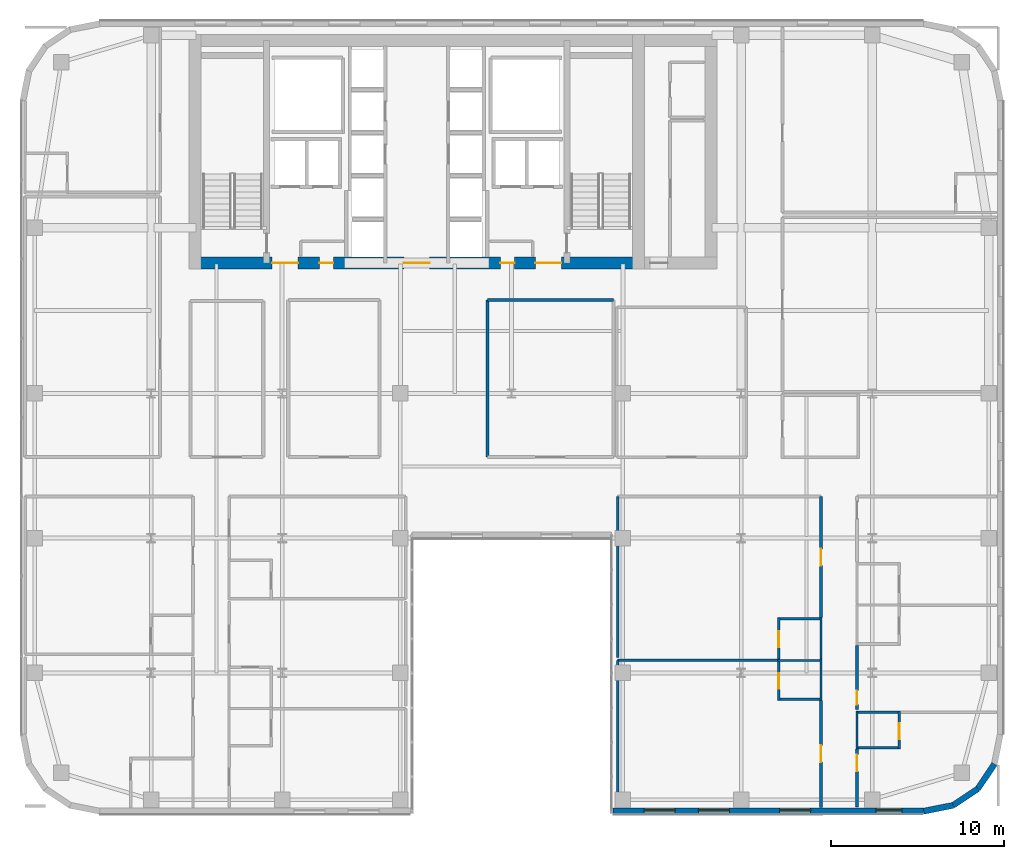
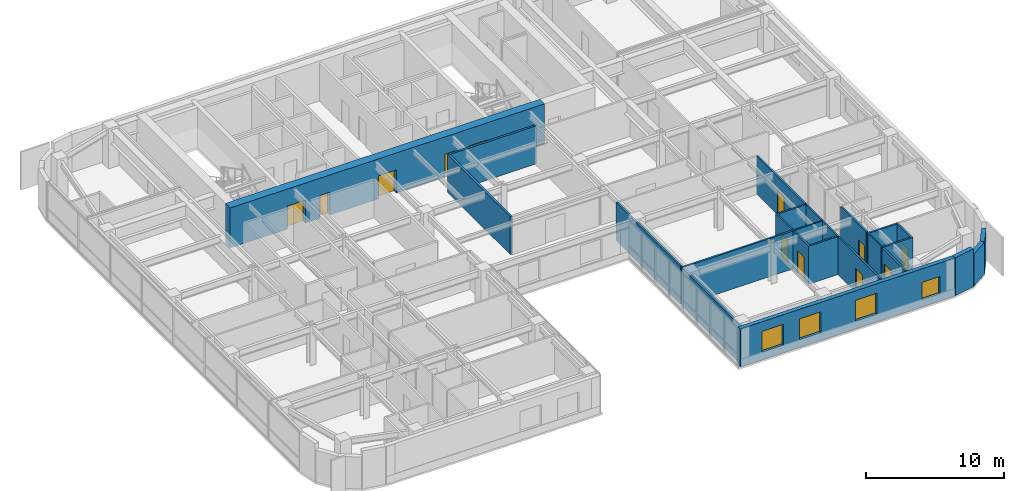
# One storey, part 28 of 37: 25 walls, 12 doors, 4 windows, 16 openings.
"""IFC4 building model written with IfcOpenShell, lengths in metres."""

import ifcopenshell
import ifcopenshell.guid

model = None  # the IFC model being written
_history = None  # IfcOwnerHistory: only IFC2X3 demands one
_inside = {}  # id of a spatial element -> (the spatial element, [elements in it])
_under = {}  # id of a project, library or spatial element -> (it, [spatial elements below it])
_declared = {}  # id of a project -> (the project, [libraries it declares])
_typed = {}  # id of a type object -> (the type object, [elements of that type])
_made_of = {}  # id of a material, layer set ... -> (it, [elements and type objects made of it])


def new_model(schema):
    """Start an empty IFC model of exactly this schema.

    Asked for "IFC4X3", IfcOpenShell would pick the latest addendum, in which some entities
    have other attributes; the version numbers below select the first issue.
    IFC2X3 requires an IfcOwnerHistory on every rooted entity: one is made here for all.
    """
    global model, _history
    if schema == "IFC4X3":
        model = ifcopenshell.file(schema_version=(4, 3, 0, 0))
    else:
        model = ifcopenshell.file(schema=schema)
    _inside.clear()
    _under.clear()
    _declared.clear()
    _typed.clear()
    _made_of.clear()
    _history = None
    if model.schema == "IFC2X3":
        org = make("IfcOrganization", Name="unknown")
        user = make(
            "IfcPersonAndOrganization",
            ThePerson=make("IfcPerson", FamilyName="unknown"),
            TheOrganization=org,
        )
        app = make(
            "IfcApplication",
            ApplicationDeveloper=org,
            Version="unknown",
            ApplicationFullName="unknown",
            ApplicationIdentifier="unknown",
        )
        _history = make(
            "IfcOwnerHistory",
            OwningUser=user,
            OwningApplication=app,
            ChangeAction="ADDED",
            CreationDate=0,
        )
    return model


def make(cls, **values):
    """One entity of the class cls with the attributes given. An attribute that is None is left unset."""
    return model.create_entity(
        cls, **{name: value for name, value in values.items() if value is not None}
    )


def rooted(cls, **values):
    """An entity with a GlobalId (a new one), such as an element, a storey or a relation."""
    return make(cls, GlobalId=ifcopenshell.guid.new(), OwnerHistory=_history, **values)


def si_unit(unit_type, name, prefix=None):
    """IfcSIUnit, for example si_unit("LENGTHUNIT", "METRE", prefix="MILLI")."""
    return make("IfcSIUnit", UnitType=unit_type, Prefix=prefix, Name=name)


def assignment(units):
    """IfcUnitAssignment: the units of a project."""
    return None if units is None else make("IfcUnitAssignment", Units=units)


def point(xyz):
    """IfcCartesianPoint."""
    return None if xyz is None else make("IfcCartesianPoint", Coordinates=xyz)


def direction(xyz):
    """IfcDirection."""
    return None if xyz is None else make("IfcDirection", DirectionRatios=xyz)


def frame(location, z_axis=None, x_axis=None):
    """IfcAxis2Placement3D, a coordinate frame: its origin and axes. An axis left out is left unset."""
    return make(
        "IfcAxis2Placement3D",
        Location=point(location),
        Axis=direction(z_axis),
        RefDirection=direction(x_axis),
    )


def frame_2d(location, x_axis=None):
    """IfcAxis2Placement2D, a coordinate frame in the plane: its origin and x axis."""
    return make(
        "IfcAxis2Placement2D", Location=point(location), RefDirection=direction(x_axis)
    )


def origin():
    """The frame at (0, 0, 0) with its axes left unset."""
    return frame((0.0, 0.0, 0.0))


def place(relative_to, where):
    """IfcLocalPlacement: puts the frame where relative to a parent placement (None: the world)."""
    return make(
        "IfcLocalPlacement", PlacementRelTo=relative_to, RelativePlacement=where
    )


def context(
    kind, dimensions, precision=None, world=None, true_north=None, identifier=None
):
    """IfcGeometricRepresentationContext, for example the 3D "Model" context."""
    return make(
        "IfcGeometricRepresentationContext",
        ContextIdentifier=identifier,
        ContextType=kind,
        CoordinateSpaceDimension=dimensions,
        Precision=precision,
        WorldCoordinateSystem=world,
        TrueNorth=true_north,
    )


def subcontext(parent, identifier, kind, view, scale=None):
    """IfcGeometricRepresentationSubContext, for example "Body" below "Model"."""
    return make(
        "IfcGeometricRepresentationSubContext",
        ContextIdentifier=identifier,
        ContextType=kind,
        ParentContext=parent,
        TargetScale=scale,
        TargetView=view,
    )


def project(units=None, contexts=None):
    """IfcProject with its units and contexts."""
    return rooted(
        "IfcProject",
        Name="project",
        RepresentationContexts=contexts,
        UnitsInContext=assignment(units),
    )


def spatial(cls, under=None, at=None, **own):
    """A site, building, storey or space (cls), placed at a placement, below another one or the project."""
    s = rooted(cls, ObjectPlacement=at, **own)
    if under is not None:
        _under.setdefault(under.id(), (under, []))[1].append(s)
    return s


def profile(cls, at=None, kind="AREA", **sizes):
    """A parametric profile (cls). Its sizes go by their IFC names, for example OverallWidth=200.0."""
    return make(cls, ProfileType=kind, Position=at, **sizes)


def rectangle(**sizes):
    """IfcRectangleProfileDef."""
    return profile("IfcRectangleProfileDef", **sizes)


def extrude(swept, where, along, depth):
    """IfcExtrudedAreaSolid: the profile swept, set in the frame where, extruded along a direction by depth."""
    return make(
        "IfcExtrudedAreaSolid",
        SweptArea=swept,
        Position=where,
        ExtrudedDirection=direction(along),
        Depth=depth,
    )


def shape(context_of_items, identifier, shape_type, items):
    """IfcShapeRepresentation: the items that make up one representation, for example the "Body"."""
    return make(
        "IfcShapeRepresentation",
        ContextOfItems=context_of_items,
        RepresentationIdentifier=identifier,
        RepresentationType=shape_type,
        Items=items,
    )


def source(mapping_origin, context_of_items, identifier, shape_type, items):
    """IfcRepresentationMap: a shape defined once, which mapped items show again and again."""
    return make(
        "IfcRepresentationMap",
        MappingOrigin=mapping_origin,
        MappedRepresentation=shape(context_of_items, identifier, shape_type, items),
    )


def transform(
    local_origin,
    x_axis=None,
    y_axis=None,
    z_axis=None,
    scale=None,
    scale2=None,
    scale3=None,
    uniform=True,
):
    """IfcCartesianTransformationOperator3D, or its non-uniform kind. x_axis, y_axis, z_axis: its Axis1, 2, 3."""
    if uniform:
        return make(
            "IfcCartesianTransformationOperator3D",
            Axis1=direction(x_axis),
            Axis2=direction(y_axis),
            LocalOrigin=point(local_origin),
            Scale=scale,
            Axis3=direction(z_axis),
        )
    return make(
        "IfcCartesianTransformationOperator3DnonUniform",
        Axis1=direction(x_axis),
        Axis2=direction(y_axis),
        LocalOrigin=point(local_origin),
        Scale=scale,
        Axis3=direction(z_axis),
        Scale2=scale2,
        Scale3=scale3,
    )


def mapped(mapping_source, mapping_target):
    """IfcMappedItem: shows the shape of a source again, moved by a transform."""
    return make(
        "IfcMappedItem", MappingSource=mapping_source, MappingTarget=mapping_target
    )


def material(Name=None, Category=None):
    """IfcMaterial."""
    return make("IfcMaterial", Name=Name, Category=Category)


def layer(
    of_material, thickness, ventilated=None, Name=None, Category=None, Priority=None
):
    """IfcMaterialLayer: one layer of a wall or slab, of a material (None: an air gap)."""
    return make(
        "IfcMaterialLayer",
        Material=of_material,
        LayerThickness=thickness,
        IsVentilated=ventilated,
        Name=Name,
        Category=Category,
        Priority=Priority,
    )


def layer_set(layers, Name=None):
    """IfcMaterialLayerSet."""
    return make("IfcMaterialLayerSet", MaterialLayers=layers, LayerSetName=Name)


def made_of(thing, what):
    """Note that an element or type object is made of a material, layer set ...; save() writes the relation."""
    if what is not None:
        _made_of.setdefault(what.id(), (what, []))[1].append(thing)
    return thing


def type_object(cls, material=None, **own):
    """A type object (cls), such as IfcWallType, which elements share."""
    return made_of(rooted(cls, **own), material)


def type_shapes(of_type, sources):
    """Give a type object the sources (RepresentationMaps) that its elements show as mapped items."""
    of_type.RepresentationMaps = sources


def element(
    cls,
    number,
    at=None,
    inside=None,
    cuts=None,
    type_object=None,
    material=None,
    context=None,
    identifier="Body",
    shape_type=None,
    held_by="IfcProductDefinitionShape",
    body=None,
    shapes=None,
    **own,
):
    """One element of the class cls, such as IfcWall. Its Tag is "e" and its number.

    at: its placement. inside: the storey or other place that contains it. cuts: it is an
    opening in that element (IfcRelVoidsElement). A single representation is given by context,
    identifier, shape_type and body (its items); several are given by shapes. held_by: the class
    of the entity that holds the representations. save() writes the other relations.
    """
    e = rooted(cls, Tag="e%d" % number, ObjectPlacement=at, **own)
    if body is not None:
        shapes = [shape(context, identifier, shape_type, body)]
    if shapes is not None:
        e.Representation = make(held_by, Representations=shapes)
    if inside is not None:
        _inside.setdefault(inside.id(), (inside, []))[1].append(e)
    if cuts is not None:
        rooted(
            "IfcRelVoidsElement", RelatingBuildingElement=cuts, RelatedOpeningElement=e
        )
    if type_object is not None:
        _typed.setdefault(type_object.id(), (type_object, []))[1].append(e)
    return made_of(e, material)


def fill(opening, filler):
    """IfcRelFillsElement: the door or window that sits in an opening."""
    return rooted(
        "IfcRelFillsElement",
        RelatingOpeningElement=opening,
        RelatedBuildingElement=filler,
    )


def aggregate(whole, parts):
    """IfcRelAggregates: a whole, such as a stair, and the parts it consists of."""
    return rooted("IfcRelAggregates", RelatingObject=whole, RelatedObjects=parts)


def save(model, path):
    """Write the relations noted so far, then the file.

    IfcRelAggregates (storeys below a building ...), IfcRelContainedInSpatialStructure (elements
    in a storey), IfcRelDefinesByType, IfcRelAssociatesMaterial and IfcRelDeclares: one each for
    every whole, place, type object, material and project.
    """
    for whole, parts in _under.values():
        aggregate(whole, parts)
    for where, things in _inside.values():
        rooted(
            "IfcRelContainedInSpatialStructure",
            RelatedElements=things,
            RelatingStructure=where,
        )
    for kind, things in _typed.values():
        rooted("IfcRelDefinesByType", RelatedObjects=things, RelatingType=kind)
    for what, things in _made_of.values():
        rooted("IfcRelAssociatesMaterial", RelatedObjects=things, RelatingMaterial=what)
    for by, libraries in _declared.values():
        rooted("IfcRelDeclares", RelatingContext=by, RelatedDefinitions=libraries)
    model.write(path)


model = new_model("IFC4")

# Units and contexts
model_context = context("Model", 3, precision=1e-05, world=origin(), true_north=direction((0.0, 1.0)))
body_context = subcontext(model_context, "Body", "Model", "MODEL_VIEW")
ifc_project = project(units=[si_unit("LENGTHUNIT", "METRE"), si_unit("AREAUNIT", "SQUARE_METRE"), si_unit("VOLUMEUNIT", "CUBIC_METRE"), si_unit("PLANEANGLEUNIT", "RADIAN"), si_unit("MASSUNIT", "GRAM", prefix="KILO")], contexts=[model_context])

# Site, building, storey
site_placement = place(None, origin())
site = spatial("IfcSite", under=ifc_project, at=site_placement, CompositionType="ELEMENT")
building_placement = place(site_placement, origin())
building = spatial("IfcBuilding", under=site, at=building_placement, Name="Tolvann Quenvar Hotel", CompositionType="ELEMENT")
storey_placement = place(building_placement, frame((0.0, 0.0, 104.449951171875)))
storey = spatial("IfcBuildingStorey", under=building, at=storey_placement, Name="L26", CompositionType="ELEMENT", Elevation=104.449951171875)

# Wall, openings, doors
ifc_material_1 = material(Name="Concrete S65 (65 MPa)", Category="concrete")
ifc_layer_1 = layer(ifc_material_1, 0.699951171875)
ifc_layer_set_1 = layer_set([ifc_layer_1], Name="Concrete S65 (65 MPa)")
wall_type_1 = type_object("IfcWallType", Name="WALL_CORE_700", PredefinedType="SHEAR", material=ifc_layer_set_1)
wall_1_placement = place(storey_placement, frame((9.800048828125, 31.949951171875, 0.0), z_axis=(0.0, 0.0, 1.0), x_axis=(1.0, 0.0, 0.0)))
wall_1 = element("IfcWall", 1, at=wall_1_placement, inside=storey, type_object=wall_type_1, Name="Rear Core S Shear Wall (L26)", PredefinedType="SHEAR", context=body_context, shape_type="SweptSolid", body=[
    extrude(rectangle(XDim=26.39990234375, YDim=0.699951171875, at=frame_2d((13.199951171875, 0.0))), origin(), (0.0, 0.0, 1.0), 3.550048828125),
])
opening_1_placement = place(wall_1_placement, frame((6.320068359375, 0.0, 0.0), z_axis=(0.0, 0.0, 1.0), x_axis=(-1.0, 0.0, 0.0)))
opening_1 = element("IfcOpeningElement", 2, at=opening_1_placement, cuts=wall_1, Name="Opening FD-60D", PredefinedType="OPENING", context=body_context, shape_type="SweptSolid", body=[
    extrude(rectangle(XDim=1.5, YDim=2.0400390625, at=frame_2d((0.75, 1.02001953125))), frame((0.0, 0.35986328125, 0.0), z_axis=(0.0, -1.0, 0.0), x_axis=(1.0, 0.0, 0.0)), (0.0, 0.0, 1.0), 0.719970703125),
])
opening_2_placement = place(wall_1_placement, frame((13.949951171875, 0.0, 0.0), z_axis=(0.0, 0.0, 1.0), x_axis=(-1.0, 0.0, 0.0)))
opening_2 = element("IfcOpeningElement", 3, at=opening_2_placement, cuts=wall_1, Name="Opening FD-60D", PredefinedType="OPENING", context=body_context, shape_type="SweptSolid", body=[
    extrude(rectangle(XDim=1.5, YDim=2.0400390625, at=frame_2d((0.75, 1.02001953125))), frame((0.0, 0.35986328125, 0.0), z_axis=(0.0, -1.0, 0.0), x_axis=(1.0, 0.0, 0.0)), (0.0, 0.0, 1.0), 0.719970703125),
])
opening_3_placement = place(wall_1_placement, frame((21.580078125, 0.0, 0.0), z_axis=(0.0, 0.0, 1.0), x_axis=(-1.0, 0.0, 0.0)))
opening_3 = element("IfcOpeningElement", 4, at=opening_3_placement, cuts=wall_1, Name="Opening FD-60D", PredefinedType="OPENING", context=body_context, shape_type="SweptSolid", body=[
    extrude(rectangle(XDim=1.5, YDim=2.0400390625, at=frame_2d((0.75, 1.02001953125))), frame((0.0, 0.35986328125, 0.0), z_axis=(0.0, -1.0, 0.0), x_axis=(1.0, 0.0, 0.0)), (0.0, 0.0, 1.0), 0.719970703125),
])
opening_4_placement = place(wall_1_placement, frame((8.3701171875, 0.0, 0.0), z_axis=(0.0, 0.0, 1.0), x_axis=(-1.0, 0.0, 0.0)))
opening_4 = element("IfcOpeningElement", 5, at=opening_4_placement, cuts=wall_1, Name="Opening HD-02", PredefinedType="OPENING", context=body_context, shape_type="SweptSolid", body=[
    extrude(rectangle(XDim=0.820068359375, YDim=2.010009765625, at=frame_2d((0.41015625, 1.0048828125))), frame((0.0, 0.35986328125, 0.0), z_axis=(0.0, -1.0, 0.0), x_axis=(1.0, 0.0, 0.0)), (0.0, 0.0, 1.0), 0.719970703125),
])
opening_5_placement = place(wall_1_placement, frame((18.8701171875, 0.0, 0.0), z_axis=(0.0, 0.0, 1.0), x_axis=(-1.0, 0.0, 0.0)))
opening_5 = element("IfcOpeningElement", 6, at=opening_5_placement, cuts=wall_1, Name="Opening HD-02", PredefinedType="OPENING", context=body_context, shape_type="SweptSolid", body=[
    extrude(rectangle(XDim=0.820068359375, YDim=2.010009765625, at=frame_2d((0.41015625, 1.0048828125))), frame((0.0, 0.35986328125, 0.0), z_axis=(0.0, -1.0, 0.0), x_axis=(1.0, 0.0, 0.0)), (0.0, 0.0, 1.0), 0.719970703125),
])
ifc_material_2 = material(Name="Solid-core American oak acoustic fire door leaf in steel frame", Category="steel")
door_type_1 = type_object("IfcDoorType", Name="DOOR_FIRE_LOBBY_1500", OperationType="NOTDEFINED", PredefinedType="DOOR", material=ifc_material_2)
shared_shape_1 = source(origin(), body_context, "Body", "SweptSolid", [
    extrude(rectangle(XDim=1.5, YDim=2.0400390625, at=frame_2d((0.75, 1.02001953125))), frame((0.0, 0.02490234375, 0.0), z_axis=(0.0, -1.0, 0.0), x_axis=(1.0, 0.0, 0.0)), (0.0, 0.0, 1.0), 0.050048828125),
])
type_shapes(door_type_1, [shared_shape_1])
door_1_placement = place(opening_1_placement, origin())
door_1 = element("IfcDoor", 7, at=door_1_placement, inside=storey, type_object=door_type_1, Name="Core Lobby Fire Door FFW (L26)", OperationType="DOUBLE_DOOR_SINGLE_SWING", OverallHeight=2.0400390625, OverallWidth=1.5, PredefinedType="DOOR", context=body_context, shape_type="MappedRepresentation", body=[
    mapped(shared_shape_1, transform((0.0, 0.0, 0.0), x_axis=(1.0, 0.0, 0.0), y_axis=(0.0, 1.0, 0.0), z_axis=(0.0, 0.0, 1.0), scale=1.0)),
])
fill(opening_1, door_1)
door_2_placement = place(opening_2_placement, origin())
door_2 = element("IfcDoor", 8, at=door_2_placement, inside=storey, type_object=door_type_1, Name="Core Lobby Fire Door CLOB (L26)", OperationType="DOUBLE_DOOR_SINGLE_SWING", OverallHeight=2.0400390625, OverallWidth=1.5, PredefinedType="DOOR", context=body_context, shape_type="MappedRepresentation", body=[
    mapped(shared_shape_1, transform((0.0, 0.0, 0.0), x_axis=(1.0, 0.0, 0.0), y_axis=(0.0, 1.0, 0.0), z_axis=(0.0, 0.0, 1.0), scale=1.0)),
])
fill(opening_2, door_2)
door_3_placement = place(opening_3_placement, origin())
door_3 = element("IfcDoor", 9, at=door_3_placement, inside=storey, type_object=door_type_1, Name="Core Lobby Fire Door FFE (L26)", OperationType="DOUBLE_DOOR_SINGLE_SWING", OverallHeight=2.0400390625, OverallWidth=1.5, PredefinedType="DOOR", context=body_context, shape_type="MappedRepresentation", body=[
    mapped(shared_shape_1, transform((0.0, 0.0, 0.0), x_axis=(1.0, 0.0, 0.0), y_axis=(0.0, 1.0, 0.0), z_axis=(0.0, 0.0, 1.0), scale=1.0)),
])
fill(opening_3, door_3)
ifc_material_3 = material(Name="Pressed galvanised steel fire-rated door set", Category="steel")
door_type_2 = type_object("IfcDoorType", Name="DOOR_STORE_820", OperationType="NOTDEFINED", PredefinedType="DOOR", material=ifc_material_3)
shared_shape_2 = source(origin(), body_context, "Body", "SweptSolid", [
    extrude(rectangle(XDim=0.820068359375, YDim=2.010009765625, at=frame_2d((0.41015625, 1.0048828125))), frame((0.0, 0.02490234375, 0.0), z_axis=(0.0, -1.0, 0.0), x_axis=(1.0, 0.0, 0.0)), (0.0, 0.0, 1.0), 0.050048828125),
])
type_shapes(door_type_2, [shared_shape_2])
door_4_placement = place(opening_4_placement, origin())
door_4 = element("IfcDoor", 10, at=door_4_placement, inside=storey, type_object=door_type_2, Name="Core Linen Store Fire Door (L26)", OperationType="SINGLE_SWING_LEFT", OverallHeight=2.010009765625, OverallWidth=0.820068359375, PredefinedType="DOOR", context=body_context, shape_type="MappedRepresentation", body=[
    mapped(shared_shape_2, transform((0.0, 0.0, 0.0), x_axis=(1.0, 0.0, 0.0), y_axis=(0.0, 1.0, 0.0), z_axis=(0.0, 0.0, 1.0), scale=1.0)),
])
fill(opening_4, door_4)
door_5_placement = place(opening_5_placement, origin())
door_5 = element("IfcDoor", 11, at=door_5_placement, inside=storey, type_object=door_type_2, Name="Core Comms Closet Fire Door (L26)", OperationType="SINGLE_SWING_RIGHT", OverallHeight=2.010009765625, OverallWidth=0.820068359375, PredefinedType="DOOR", context=body_context, shape_type="MappedRepresentation", body=[
    mapped(shared_shape_2, transform((0.0, 0.0, 0.0), x_axis=(1.0, 0.0, 0.0), y_axis=(0.0, 1.0, 0.0), z_axis=(0.0, 0.0, 1.0), scale=1.0)),
])
fill(opening_5, door_5)

# Wall, openings, windows
ifc_material_4 = material(Name="Kiln-fired red and buff architectural clay brickwork and terracotta masonry", Category="masonry")
ifc_layer_2 = layer(ifc_material_4, 0.35009765625)
ifc_layer_set_2 = layer_set([ifc_layer_2], Name="Kiln-fired red and buff architectural clay brickwork and terracotta masonry")
wall_type_2 = type_object("IfcWallType", Name="WALL_EXT_BRICK_350", PredefinedType="SOLIDWALL", material=ifc_layer_set_2)
wall_2_placement = place(storey_placement, frame((34.375, 0.175048828125, 0.0), z_axis=(0.0, 0.0, 1.0), x_axis=(1.0, 0.0, 0.0)))
wall_2 = element("IfcWall", 12, at=wall_2_placement, inside=storey, type_object=wall_type_2, Name="Exterior Chicago Brick Wall L26-E08", PredefinedType="SOLIDWALL", context=body_context, shape_type="SweptSolid", body=[
    extrude(rectangle(XDim=18.0078125, YDim=0.35009765625, at=frame_2d((9.00390625, 0.0))), origin(), (0.0, 0.0, 1.0), 3.3701171875),
])
opening_6_placement = place(wall_2_placement, frame((1.801025390625, 0.0, 0.679931640625)))
opening_6 = element("IfcOpeningElement", 13, at=opening_6_placement, cuts=wall_2, Name="Opening W-03", PredefinedType="OPENING", context=body_context, shape_type="SweptSolid", body=[
    extrude(rectangle(XDim=1.800048828125, YDim=1.85009765625, at=frame_2d((0.89990234375, 0.925048828125))), frame((0.0, 0.18505859375, 0.0), z_axis=(0.0, -1.0, 0.0), x_axis=(1.0, 0.0, 0.0)), (0.0, 0.0, 1.0), 0.3701171875),
])
opening_7_placement = place(wall_2_placement, frame((4.952880859375, 0.0, 0.679931640625)))
opening_7 = element("IfcOpeningElement", 14, at=opening_7_placement, cuts=wall_2, Name="Opening W-03", PredefinedType="OPENING", context=body_context, shape_type="SweptSolid", body=[
    extrude(rectangle(XDim=1.800048828125, YDim=1.85009765625, at=frame_2d((0.89990234375, 0.925048828125))), frame((0.0, 0.18505859375, 0.0), z_axis=(0.0, -1.0, 0.0), x_axis=(1.0, 0.0, 0.0)), (0.0, 0.0, 1.0), 0.3701171875),
])
opening_8_placement = place(wall_2_placement, frame((9.655029296875, 0.0, 0.679931640625)))
opening_8 = element("IfcOpeningElement", 15, at=opening_8_placement, cuts=wall_2, Name="Opening W-03", PredefinedType="OPENING", context=body_context, shape_type="SweptSolid", body=[
    extrude(rectangle(XDim=1.800048828125, YDim=1.85009765625, at=frame_2d((0.89990234375, 0.925048828125))), frame((0.0, 0.18505859375, 0.0), z_axis=(0.0, -1.0, 0.0), x_axis=(1.0, 0.0, 0.0)), (0.0, 0.0, 1.0), 0.3701171875),
])
opening_9_placement = place(wall_2_placement, frame((15.240966796875, 0.0, 0.6201171875)))
opening_9 = element("IfcOpeningElement", 16, at=opening_9_placement, cuts=wall_2, Name="Opening W-08", PredefinedType="OPENING", context=body_context, shape_type="SweptSolid", body=[
    extrude(rectangle(XDim=1.5, YDim=1.550048828125, at=frame_2d((0.75, 0.77490234375))), frame((0.0, 0.18505859375, 0.0), z_axis=(0.0, -1.0, 0.0), x_axis=(1.0, 0.0, 0.0)), (0.0, 0.0, 1.0), 0.3701171875),
])
ifc_material_5 = material(Name="Thermally broken bronze-anodised aluminium frame with double low-E glazing", Category="aluminium")
window_type_1 = type_object("IfcWindowType", Name="WIN_COR_1500x2050", PartitioningType="SINGLE_PANEL", PredefinedType="WINDOW", material=ifc_material_5)
shared_shape_3 = source(origin(), body_context, "Body", "SweptSolid", [
    extrude(rectangle(XDim=1.5, YDim=1.550048828125, at=frame_2d((0.75, 0.77490234375))), frame((0.0, 0.090087890625, 0.0), z_axis=(0.0, -1.0, 0.0), x_axis=(1.0, 0.0, 0.0)), (0.0, 0.0, 1.0), 0.06005859375),
])
type_shapes(window_type_1, [shared_shape_3])
window_1_placement = place(opening_9_placement, origin())
window_1 = element("IfcWindow", 17, at=window_1_placement, inside=storey, type_object=window_type_1, Name="Chicago Window W-08 (EW-L26-E08-WD04)", OverallHeight=1.550048828125, OverallWidth=1.5, PartitioningType="SINGLE_PANEL", PredefinedType="WINDOW", context=body_context, shape_type="MappedRepresentation", body=[
    mapped(shared_shape_3, transform((0.0, 0.0, 0.0), x_axis=(1.0, 0.0, 0.0), y_axis=(0.0, 1.0, 0.0), z_axis=(0.0, 0.0, 1.0), scale=1.0)),
])
fill(opening_9, window_1)
window_type_2 = type_object("IfcWindowType", Name="WIN_CHI_1800x2050", PartitioningType="TRIPLE_PANEL_HORIZONTAL", PredefinedType="WINDOW", material=ifc_material_5)
shared_shape_4 = source(origin(), body_context, "Body", "SweptSolid", [
    extrude(rectangle(XDim=1.800048828125, YDim=1.85009765625, at=frame_2d((0.89990234375, 0.925048828125))), frame((0.0, 0.090087890625, 0.0), z_axis=(0.0, -1.0, 0.0), x_axis=(1.0, 0.0, 0.0)), (0.0, 0.0, 1.0), 0.06005859375),
])
type_shapes(window_type_2, [shared_shape_4])
window_2_placement = place(opening_6_placement, origin())
window_2 = element("IfcWindow", 18, at=window_2_placement, inside=storey, type_object=window_type_2, Name="Chicago Window W-03 (EW-L26-E08-W01)", OverallHeight=1.85009765625, OverallWidth=1.800048828125, PartitioningType="TRIPLE_PANEL_HORIZONTAL", PredefinedType="WINDOW", context=body_context, shape_type="MappedRepresentation", body=[
    mapped(shared_shape_4, transform((0.0, 0.0, 0.0), x_axis=(1.0, 0.0, 0.0), y_axis=(0.0, 1.0, 0.0), z_axis=(0.0, 0.0, 1.0), scale=1.0)),
])
fill(opening_6, window_2)
window_3_placement = place(opening_7_placement, origin())
window_3 = element("IfcWindow", 19, at=window_3_placement, inside=storey, type_object=window_type_2, Name="Chicago Window W-03 (EW-L26-E08-W02)", OverallHeight=1.85009765625, OverallWidth=1.800048828125, PartitioningType="TRIPLE_PANEL_HORIZONTAL", PredefinedType="WINDOW", context=body_context, shape_type="MappedRepresentation", body=[
    mapped(shared_shape_4, transform((0.0, 0.0, 0.0), x_axis=(1.0, 0.0, 0.0), y_axis=(0.0, 1.0, 0.0), z_axis=(0.0, 0.0, 1.0), scale=1.0)),
])
fill(opening_7, window_3)
window_4_placement = place(opening_8_placement, origin())
window_4 = element("IfcWindow", 20, at=window_4_placement, inside=storey, type_object=window_type_2, Name="Chicago Window W-03 (EW-L26-E08-W03)", OverallHeight=1.85009765625, OverallWidth=1.800048828125, PartitioningType="TRIPLE_PANEL_HORIZONTAL", PredefinedType="WINDOW", context=body_context, shape_type="MappedRepresentation", body=[
    mapped(shared_shape_4, transform((0.0, 0.0, 0.0), x_axis=(1.0, 0.0, 0.0), y_axis=(0.0, 1.0, 0.0), z_axis=(0.0, 0.0, 1.0), scale=1.0)),
])
fill(opening_8, window_4)

# Walls
wall_3_placement = place(storey_placement, frame((52.3828125, 0.175048828125, 0.0), z_axis=(0.0, 0.0, 1.0), x_axis=(0.980800971659, 0.195011420161, 0.0)))
element("IfcWall", 21, at=wall_3_placement, inside=storey, type_object=wall_type_2, Name="Exterior Chicago Brick Wall L26-E09", PredefinedType="SOLIDWALL", context=body_context, shape_type="SweptSolid", body=[
    extrude(rectangle(XDim=1.74267578125, YDim=0.35009765625, at=frame_2d((0.871337890625, 0.0))), origin(), (0.0, 0.0, 1.0), 3.3701171875),
])
for number, where, z_axis, x_axis, name in (
    (22, (54.092041015625, 0.514892578125, 0.0), (0.0, 0.0, 1.0), (0.831483840845, 0.55554893791, 0.0), "Exterior Chicago Brick Wall L26-E10"),
    (23, (55.526611328125, 1.473388671875, 0.0), (0.0, 0.0, 1.0), (0.55554893791, 0.831483840845, 0.0), "Exterior Chicago Brick Wall L26-E11"),
):
    element("IfcWall", number, at=place(storey_placement, frame(where, z_axis=z_axis, x_axis=x_axis)), inside=storey, type_object=wall_type_2, Name=name, PredefinedType="SOLIDWALL", context=body_context, shape_type="SweptSolid", body=[
        extrude(rectangle(XDim=1.725341796875, YDim=0.35009765625, at=frame_2d((0.86279296875, 0.0))), origin(), (0.0, 0.0, 1.0), 2.83203125),
    ])
ifc_material_6 = material(Name="Acoustic twin-stud fire-rated gypsum plasterboard partition")
ifc_layer_3 = layer(ifc_material_6, 0.179931640625)
ifc_layer_set_3 = layer_set([ifc_layer_3], Name="Acoustic twin-stud fire-rated gypsum plasterboard partition")
wall_type_3 = type_object("IfcWallType", Name="WALL_PART_ACOUSTIC_180", PredefinedType="PARTITIONING", material=ifc_layer_set_3)
wall_4_placement = place(storey_placement, frame((27.10009765625, 29.800048828125, 0.0), z_axis=(0.0, 0.0, 1.0), x_axis=(1.0, 0.0, 0.0)))
element("IfcWall", 24, at=wall_4_placement, inside=storey, type_object=wall_type_3, Name="Interior Partition PT-SPC-L26-MSP-C-N", PredefinedType="PARTITIONING", context=body_context, shape_type="SweptSolid", body=[
    extrude(rectangle(XDim=7.2998046875, YDim=0.179931640625, at=frame_2d((3.64990234375, 0.0))), origin(), (0.0, 0.0, 1.0), 3.3701171875),
])
wall_5_placement = place(storey_placement, frame((27.10009765625, 20.699951171875, 0.0), z_axis=(0.0, 0.0, 1.0), x_axis=(0.0, 1.0, 0.0)))
element("IfcWall", 25, at=wall_5_placement, inside=storey, type_object=wall_type_3, Name="Interior Partition PT-SPC-L26-MSP-C-W", PredefinedType="PARTITIONING", context=body_context, shape_type="SweptSolid", body=[
    extrude(rectangle(XDim=9.10009765625, YDim=0.179931640625, at=frame_2d((4.550048828125, 0.0))), origin(), (0.0, 0.0, 1.0), 3.3701171875),
])
ifc_material_7 = material(Name="Moisture-resistant acoustic plumbing wall assembly")
ifc_layer_4 = layer(ifc_material_7, 0.1201171875)
ifc_layer_set_4 = layer_set([ifc_layer_4], Name="Moisture-resistant acoustic plumbing wall assembly")
wall_type_4 = type_object("IfcWallType", Name="WALL_PART_BATH_120", PredefinedType="PLUMBINGWALL", material=ifc_layer_set_4)
wall_6_placement = place(storey_placement, frame((43.909912109375, 8.919921875, 0.0), z_axis=(0.0, 0.0, 1.0), x_axis=(1.0, 0.0, 0.0)))
element("IfcWall", 26, at=wall_6_placement, inside=storey, type_object=wall_type_4, Name="Non-Rated Plumbing Partition PT-SPC-L26-ENS-EI01-N", PredefinedType="PLUMBINGWALL", context=body_context, shape_type="SweptSolid", body=[
    extrude(rectangle(XDim=2.590087890625, YDim=0.1201171875, at=frame_2d((1.294921875, 0.0))), origin(), (0.0, 0.0, 1.0), 3.3701171875),
])
for number, where, z_axis, x_axis, name in (
    (27, (46.429931640625, 6.60009765625, 0.0), (0.0, 0.0, 1.0), (0.0, 1.0, 0.0), "Non-Rated Plumbing Partition PT-SPC-L26-ENS-EI01-E"),
    (28, (46.429931640625, 9.010009765625, 0.0), (0.0, 0.0, 1.0), (0.0, 1.0, 0.0), "Non-Rated Plumbing Partition PT-SPC-L26-ENS-EI02-E"),
):
    element("IfcWall", number, at=place(storey_placement, frame(where, z_axis=z_axis, x_axis=x_axis)), inside=storey, type_object=wall_type_4, Name=name, PredefinedType="PLUMBINGWALL", context=body_context, shape_type="SweptSolid", body=[
        extrude(rectangle(XDim=2.389892578125, YDim=0.1201171875, at=frame_2d((1.19482421875, 0.0))), origin(), (0.0, 0.0, 1.0), 3.3701171875),
    ])
wall_7_placement = place(storey_placement, frame((48.52001953125, 3.782958984375, 0.0), z_axis=(0.0, 0.0, 1.0), x_axis=(0.0, 1.0, 0.0)))
element("IfcWall", 29, at=wall_7_placement, inside=storey, type_object=wall_type_4, Name="Non-Rated Plumbing Partition PT-SPC-L26-ENS-EO01-W", PredefinedType="PLUMBINGWALL", context=body_context, shape_type="SweptSolid", body=[
    extrude(rectangle(XDim=2.20703125, YDim=0.1201171875, at=frame_2d((1.103515625, 0.0))), origin(), (0.0, 0.0, 1.0), 3.3701171875),
])

# Wall, opening, door
ifc_layer_5 = layer(ifc_material_6, 0.14990234375)
ifc_layer_set_5 = layer_set([ifc_layer_5], Name="Acoustic twin-stud fire-rated gypsum plasterboard partition")
wall_type_5 = type_object("IfcWallType", Name="WALL_PART_SUITE_150", PredefinedType="PARTITIONING", material=ifc_layer_set_5)
wall_8_placement = place(storey_placement, frame((43.97998046875, 6.60009765625, 0.0), z_axis=(0.0, 0.0, 1.0), x_axis=(0.0, 1.0, 0.0)))
wall_8 = element("IfcWall", 30, at=wall_8_placement, inside=storey, type_object=wall_type_5, Name="Interior Partition PT-SPC-L26-ENS-EI01-ENT", PredefinedType="PARTITIONING", context=body_context, shape_type="SweptSolid", body=[
    extrude(rectangle(XDim=2.389892578125, YDim=0.14990234375, at=frame_2d((1.19482421875, 0.0))), origin(), (0.0, 0.0, 1.0), 3.3701171875),
])
opening_10_placement = place(wall_8_placement, frame((0.6650390625, 0.0, 0.0)))
opening_10 = element("IfcOpeningElement", 31, at=opening_10_placement, cuts=wall_8, Name="Opening WD-01", PredefinedType="OPENING", context=body_context, shape_type="SweptSolid", body=[
    extrude(rectangle(XDim=0.919921875, YDim=2.010009765625, at=frame_2d((0.4599609375, 1.0048828125))), frame((0.0, 0.0849609375, 0.0), z_axis=(0.0, -1.0, 0.0), x_axis=(1.0, 0.0, 0.0)), (0.0, 0.0, 1.0), 0.169921875),
])
door_type_3 = type_object("IfcDoorType", Name="DOOR_WC_920", OperationType="NOTDEFINED", PredefinedType="DOOR", material=ifc_material_2)
shared_shape_5 = source(origin(), body_context, "Body", "SweptSolid", [
    extrude(rectangle(XDim=0.919921875, YDim=2.010009765625, at=frame_2d((0.4599609375, 1.0048828125))), frame((0.0, 0.02490234375, 0.0), z_axis=(0.0, -1.0, 0.0), x_axis=(1.0, 0.0, 0.0)), (0.0, 0.0, 1.0), 0.050048828125),
])
type_shapes(door_type_3, [shared_shape_5])
door_6_placement = place(opening_10_placement, origin())
door_6 = element("IfcDoor", 32, at=door_6_placement, inside=storey, type_object=door_type_3, Name="Interior Door DOOR-SPC-L26-ENS-EI01", OperationType="SINGLE_SWING_RIGHT", OverallHeight=2.010009765625, OverallWidth=0.919921875, PredefinedType="DOOR", context=body_context, shape_type="MappedRepresentation", body=[
    mapped(shared_shape_5, transform((0.0, 0.0, 0.0), x_axis=(1.0, 0.0, 0.0), y_axis=(0.0, 1.0, 0.0), z_axis=(0.0, 0.0, 1.0), scale=1.0)),
])
fill(opening_10, door_6)

# Wall
wall_9_placement = place(storey_placement, frame((43.909912109375, 6.669921875, 0.0), z_axis=(0.0, 0.0, 1.0), x_axis=(1.0, 0.0, 0.0)))
element("IfcWall", 33, at=wall_9_placement, inside=storey, type_object=wall_type_5, Name="Interior Partition PT-SPC-L26-ENS-EI01-S", PredefinedType="PARTITIONING", context=body_context, shape_type="SweptSolid", body=[
    extrude(rectangle(XDim=2.590087890625, YDim=0.14990234375, at=frame_2d((1.294921875, 0.0))), origin(), (0.0, 0.0, 1.0), 3.3701171875),
])

# Wall, opening, door
wall_10_placement = place(storey_placement, frame((43.97998046875, 9.010009765625, 0.0), z_axis=(0.0, 0.0, 1.0), x_axis=(0.0, 1.0, 0.0)))
wall_10 = element("IfcWall", 34, at=wall_10_placement, inside=storey, type_object=wall_type_5, Name="Interior Partition PT-SPC-L26-ENS-EI02-ENT", PredefinedType="PARTITIONING", context=body_context, shape_type="SweptSolid", body=[
    extrude(rectangle(XDim=2.389892578125, YDim=0.14990234375, at=frame_2d((1.19482421875, 0.0))), origin(), (0.0, 0.0, 1.0), 3.3701171875),
])
opening_11_placement = place(wall_10_placement, frame((0.6650390625, 0.0, 0.0)))
opening_11 = element("IfcOpeningElement", 35, at=opening_11_placement, cuts=wall_10, Name="Opening WD-01", PredefinedType="OPENING", context=body_context, shape_type="SweptSolid", body=[
    extrude(rectangle(XDim=0.919921875, YDim=2.010009765625, at=frame_2d((0.4599609375, 1.0048828125))), frame((0.0, 0.0849609375, 0.0), z_axis=(0.0, -1.0, 0.0), x_axis=(1.0, 0.0, 0.0)), (0.0, 0.0, 1.0), 0.169921875),
])
door_7_placement = place(opening_11_placement, origin())
door_7 = element("IfcDoor", 36, at=door_7_placement, inside=storey, type_object=door_type_3, Name="Interior Door DOOR-SPC-L26-ENS-EI02", OperationType="SINGLE_SWING_LEFT", OverallHeight=2.010009765625, OverallWidth=0.919921875, PredefinedType="DOOR", context=body_context, shape_type="MappedRepresentation", body=[
    mapped(shared_shape_5, transform((0.0, 0.0, 0.0), x_axis=(1.0, 0.0, 0.0), y_axis=(0.0, 1.0, 0.0), z_axis=(0.0, 0.0, 1.0), scale=1.0)),
])
fill(opening_11, door_7)

# Wall
wall_11_placement = place(storey_placement, frame((43.909912109375, 11.330078125, 0.0), z_axis=(0.0, 0.0, 1.0), x_axis=(1.0, 0.0, 0.0)))
element("IfcWall", 37, at=wall_11_placement, inside=storey, type_object=wall_type_5, Name="Interior Partition PT-SPC-L26-ENS-EI02-N", PredefinedType="PARTITIONING", context=body_context, shape_type="SweptSolid", body=[
    extrude(rectangle(XDim=2.590087890625, YDim=0.14990234375, at=frame_2d((1.294921875, 0.0))), origin(), (0.0, 0.0, 1.0), 3.3701171875),
])

# Wall, opening, door
wall_12_placement = place(storey_placement, frame((50.969970703125, 3.782958984375, 0.0), z_axis=(0.0, 0.0, 1.0), x_axis=(0.0, 1.0, 0.0)))
wall_12 = element("IfcWall", 38, at=wall_12_placement, inside=storey, type_object=wall_type_5, Name="Interior Partition PT-SPC-L26-ENS-EO01-ENT", PredefinedType="PARTITIONING", context=body_context, shape_type="SweptSolid", body=[
    extrude(rectangle(XDim=2.20703125, YDim=0.14990234375, at=frame_2d((1.103515625, 0.0))), origin(), (0.0, 0.0, 1.0), 3.3701171875),
])
opening_12_placement = place(wall_12_placement, frame((0.573486328125, 0.0, 0.0)))
opening_12 = element("IfcOpeningElement", 39, at=opening_12_placement, cuts=wall_12, Name="Opening WD-01", PredefinedType="OPENING", context=body_context, shape_type="SweptSolid", body=[
    extrude(rectangle(XDim=0.919921875, YDim=2.010009765625, at=frame_2d((0.4599609375, 1.0048828125))), frame((0.0, 0.0849609375, 0.0), z_axis=(0.0, -1.0, 0.0), x_axis=(1.0, 0.0, 0.0)), (0.0, 0.0, 1.0), 0.169921875),
])
door_8_placement = place(opening_12_placement, origin())
door_8 = element("IfcDoor", 40, at=door_8_placement, inside=storey, type_object=door_type_3, Name="Interior Door DOOR-SPC-L26-ENS-EO01", OperationType="SINGLE_SWING_RIGHT", OverallHeight=2.010009765625, OverallWidth=0.919921875, PredefinedType="DOOR", context=body_context, shape_type="MappedRepresentation", body=[
    mapped(shared_shape_5, transform((0.0, 0.0, 0.0), x_axis=(1.0, 0.0, 0.0), y_axis=(0.0, 1.0, 0.0), z_axis=(0.0, 0.0, 1.0), scale=1.0)),
])
fill(opening_12, door_8)

# Walls
for number, where, z_axis, x_axis, name in (
    (41, (48.449951171875, 3.85302734375, 0.0), (0.0, 0.0, 1.0), (1.0, 0.0, 0.0), "Interior Partition PT-SPC-L26-ENS-EO01-S"),
    (42, (48.449951171875, 5.919921875, 0.0), (0.0, 0.0, 1.0), (1.0, 0.0, 0.0), "Interior Partition PT-SPC-L26-ENS-EO01-N"),
):
    element("IfcWall", number, at=place(storey_placement, frame(where, z_axis=z_axis, x_axis=x_axis)), inside=storey, type_object=wall_type_5, Name=name, PredefinedType="PARTITIONING", context=body_context, shape_type="SweptSolid", body=[
        extrude(rectangle(XDim=2.590087890625, YDim=0.14990234375, at=frame_2d((1.294921875, 0.0))), origin(), (0.0, 0.0, 1.0), 3.3701171875),
    ])

# Wall, opening, door
wall_13_placement = place(storey_placement, frame((46.429931640625, 0.405029296875, 0.0), z_axis=(0.0, 0.0, 1.0), x_axis=(0.0, 1.0, 0.0)))
wall_13 = element("IfcWall", 43, at=wall_13_placement, inside=storey, type_object=wall_type_5, Name="Interior Partition PT-SPC-L26-RM-EI01-ENT", PredefinedType="PARTITIONING", context=body_context, shape_type="SweptSolid", body=[
    extrude(rectangle(XDim=6.18505859375, YDim=0.14990234375, at=frame_2d((3.092529296875, 0.0))), origin(), (0.0, 0.0, 1.0), 3.3701171875),
])
opening_13_placement = place(wall_13_placement, frame((2.610107421875, 0.0, 0.0)))
opening_13 = element("IfcOpeningElement", 44, at=opening_13_placement, cuts=wall_13, Name="Opening SD-01", PredefinedType="OPENING", context=body_context, shape_type="SweptSolid", body=[
    extrude(rectangle(XDim=0.97998046875, YDim=2.1201171875, at=frame_2d((0.489990234375, 1.06005859375))), frame((0.0, 0.0849609375, 0.0), z_axis=(0.0, -1.0, 0.0), x_axis=(1.0, 0.0, 0.0)), (0.0, 0.0, 1.0), 0.169921875),
])
door_type_4 = type_object("IfcDoorType", Name="DOOR_SUITE_980", OperationType="NOTDEFINED", PredefinedType="DOOR", material=ifc_material_2)
shared_shape_6 = source(origin(), body_context, "Body", "SweptSolid", [
    extrude(rectangle(XDim=0.97998046875, YDim=2.1201171875, at=frame_2d((0.489990234375, 1.06005859375))), frame((0.0, 0.02490234375, 0.0), z_axis=(0.0, -1.0, 0.0), x_axis=(1.0, 0.0, 0.0)), (0.0, 0.0, 1.0), 0.050048828125),
])
type_shapes(door_type_4, [shared_shape_6])
door_9_placement = place(opening_13_placement, origin())
door_9 = element("IfcDoor", 45, at=door_9_placement, inside=storey, type_object=door_type_4, Name="Interior Door DOOR-SPC-L26-RM-EI01", OperationType="SINGLE_SWING_RIGHT", OverallHeight=2.1201171875, OverallWidth=0.97998046875, PredefinedType="DOOR", context=body_context, shape_type="MappedRepresentation", body=[
    mapped(shared_shape_6, transform((0.0, 0.0, 0.0), x_axis=(1.0, 0.0, 0.0), y_axis=(0.0, 1.0, 0.0), z_axis=(0.0, 0.0, 1.0), scale=1.0)),
])
fill(opening_13, door_9)

# Walls
wall_14_placement = place(storey_placement, frame((34.64990234375, 8.919921875, 0.0), z_axis=(0.0, 0.0, 1.0), x_axis=(1.0, 0.0, 0.0)))
element("IfcWall", 46, at=wall_14_placement, inside=storey, type_object=wall_type_5, Name="Interior Partition PT-SPC-L26-RM-EI01-E5", PredefinedType="PARTITIONING", context=body_context, shape_type="SweptSolid", body=[
    extrude(rectangle(XDim=9.31005859375, YDim=0.14990234375, at=frame_2d((4.655029296875, 0.0))), origin(), (0.0, 0.0, 1.0), 3.3701171875),
])
wall_15_placement = place(storey_placement, frame((34.64990234375, 0.405029296875, 0.0), z_axis=(0.0, 0.0, 1.0), x_axis=(0.0, 1.0, 0.0)))
element("IfcWall", 47, at=wall_15_placement, inside=storey, type_object=wall_type_5, Name="Interior Partition PT-SPC-L26-RM-EI01-E6", PredefinedType="PARTITIONING", context=body_context, shape_type="SweptSolid", body=[
    extrude(rectangle(XDim=8.514892578125, YDim=0.14990234375, at=frame_2d((4.25732421875, 0.0))), origin(), (0.0, 0.0, 1.0), 3.3701171875),
])

# Wall, opening, door
wall_16_placement = place(storey_placement, frame((46.429931640625, 11.409912109375, 0.0), z_axis=(0.0, 0.0, 1.0), x_axis=(0.0, 1.0, 0.0)))
wall_16 = element("IfcWall", 48, at=wall_16_placement, inside=storey, type_object=wall_type_5, Name="Interior Partition PT-SPC-L26-RM-EI02-ENT", PredefinedType="PARTITIONING", context=body_context, shape_type="SweptSolid", body=[
    extrude(rectangle(XDim=7.010009765625, YDim=0.14990234375, at=frame_2d((3.5048828125, 0.0))), origin(), (0.0, 0.0, 1.0), 3.3701171875),
])
opening_14_placement = place(wall_16_placement, frame((2.9951171875, 0.0, 0.0)))
opening_14 = element("IfcOpeningElement", 49, at=opening_14_placement, cuts=wall_16, Name="Opening SD-01", PredefinedType="OPENING", context=body_context, shape_type="SweptSolid", body=[
    extrude(rectangle(XDim=0.97998046875, YDim=2.1201171875, at=frame_2d((0.489990234375, 1.06005859375))), frame((0.0, 0.0849609375, 0.0), z_axis=(0.0, -1.0, 0.0), x_axis=(1.0, 0.0, 0.0)), (0.0, 0.0, 1.0), 0.169921875),
])
door_10_placement = place(opening_14_placement, origin())
door_10 = element("IfcDoor", 50, at=door_10_placement, inside=storey, type_object=door_type_4, Name="Interior Door DOOR-SPC-L26-RM-EI02", OperationType="SINGLE_SWING_LEFT", OverallHeight=2.1201171875, OverallWidth=0.97998046875, PredefinedType="DOOR", context=body_context, shape_type="MappedRepresentation", body=[
    mapped(shared_shape_6, transform((0.0, 0.0, 0.0), x_axis=(1.0, 0.0, 0.0), y_axis=(0.0, 1.0, 0.0), z_axis=(0.0, 0.0, 1.0), scale=1.0)),
])
fill(opening_14, door_10)

# Wall
wall_17_placement = place(storey_placement, frame((34.64990234375, 9.080078125, 0.0), z_axis=(0.0, 0.0, 1.0), x_axis=(0.0, 1.0, 0.0)))
element("IfcWall", 51, at=wall_17_placement, inside=storey, type_object=wall_type_5, Name="Interior Partition PT-SPC-L26-RM-EI02-E6", PredefinedType="PARTITIONING", context=body_context, shape_type="SweptSolid", body=[
    extrude(rectangle(XDim=9.33984375, YDim=0.14990234375, at=frame_2d((4.669921875, 0.0))), origin(), (0.0, 0.0, 1.0), 3.3701171875),
])

# Wall, opening, door
wall_18_placement = place(storey_placement, frame((48.52001953125, 0.405029296875, 0.0), z_axis=(0.0, 0.0, 1.0), x_axis=(0.0, 1.0, 0.0)))
wall_18 = element("IfcWall", 52, at=wall_18_placement, inside=storey, type_object=wall_type_5, Name="Interior Partition PT-SPC-L26-RM-EO01-ENT", PredefinedType="PARTITIONING", context=body_context, shape_type="SweptSolid", body=[
    extrude(rectangle(XDim=3.367919921875, YDim=0.14990234375, at=frame_2d((1.68408203125, 0.0))), origin(), (0.0, 0.0, 1.0), 3.3701171875),
])
opening_15_placement = place(wall_18_placement, frame((2.077880859375, 0.0, 0.0)))
opening_15 = element("IfcOpeningElement", 53, at=opening_15_placement, cuts=wall_18, Name="Opening SD-01", PredefinedType="OPENING", context=body_context, shape_type="SweptSolid", body=[
    extrude(rectangle(XDim=0.97998046875, YDim=2.1201171875, at=frame_2d((0.489990234375, 1.06005859375))), frame((0.0, 0.0849609375, 0.0), z_axis=(0.0, -1.0, 0.0), x_axis=(1.0, 0.0, 0.0)), (0.0, 0.0, 1.0), 0.169921875),
])
door_11_placement = place(opening_15_placement, origin())
door_11 = element("IfcDoor", 54, at=door_11_placement, inside=storey, type_object=door_type_4, Name="Interior Door DOOR-SPC-L26-RM-EO01", OperationType="SINGLE_SWING_RIGHT", OverallHeight=2.1201171875, OverallWidth=0.97998046875, PredefinedType="DOOR", context=body_context, shape_type="MappedRepresentation", body=[
    mapped(shared_shape_6, transform((0.0, 0.0, 0.0), x_axis=(1.0, 0.0, 0.0), y_axis=(0.0, 1.0, 0.0), z_axis=(0.0, 0.0, 1.0), scale=1.0)),
])
fill(opening_15, door_11)

wall_19_placement = place(storey_placement, frame((48.52001953125, 6.080078125, 0.0), z_axis=(0.0, 0.0, 1.0), x_axis=(0.0, 1.0, 0.0)))
wall_19 = element("IfcWall", 55, at=wall_19_placement, inside=storey, type_object=wall_type_5, Name="Interior Partition PT-SPC-L26-RM-EO02-ENT", PredefinedType="PARTITIONING", context=body_context, shape_type="SweptSolid", body=[
    extrude(rectangle(XDim=3.7099609375, YDim=0.14990234375, at=frame_2d((1.85498046875, 0.0))), origin(), (0.0, 0.0, 1.0), 3.3701171875),
])
opening_16_placement = place(wall_19_placement, frame((0.27001953125, 0.0, 0.0)))
opening_16 = element("IfcOpeningElement", 56, at=opening_16_placement, cuts=wall_19, Name="Opening HD-02", PredefinedType="OPENING", context=body_context, shape_type="SweptSolid", body=[
    extrude(rectangle(XDim=0.820068359375, YDim=2.010009765625, at=frame_2d((0.41015625, 1.0048828125))), frame((0.0, 0.0849609375, 0.0), z_axis=(0.0, -1.0, 0.0), x_axis=(1.0, 0.0, 0.0)), (0.0, 0.0, 1.0), 0.169921875),
])
door_12_placement = place(opening_16_placement, origin())
door_12 = element("IfcDoor", 57, at=door_12_placement, inside=storey, type_object=door_type_2, Name="Interior Door DOOR-SPC-L26-RM-EO02", OperationType="SINGLE_SWING_LEFT", OverallHeight=2.010009765625, OverallWidth=0.820068359375, PredefinedType="DOOR", context=body_context, shape_type="MappedRepresentation", body=[
    mapped(shared_shape_2, transform((0.0, 0.0, 0.0), x_axis=(1.0, 0.0, 0.0), y_axis=(0.0, 1.0, 0.0), z_axis=(0.0, 0.0, 1.0), scale=1.0)),
])
fill(opening_16, door_12)

save(model, "model.ifc")
